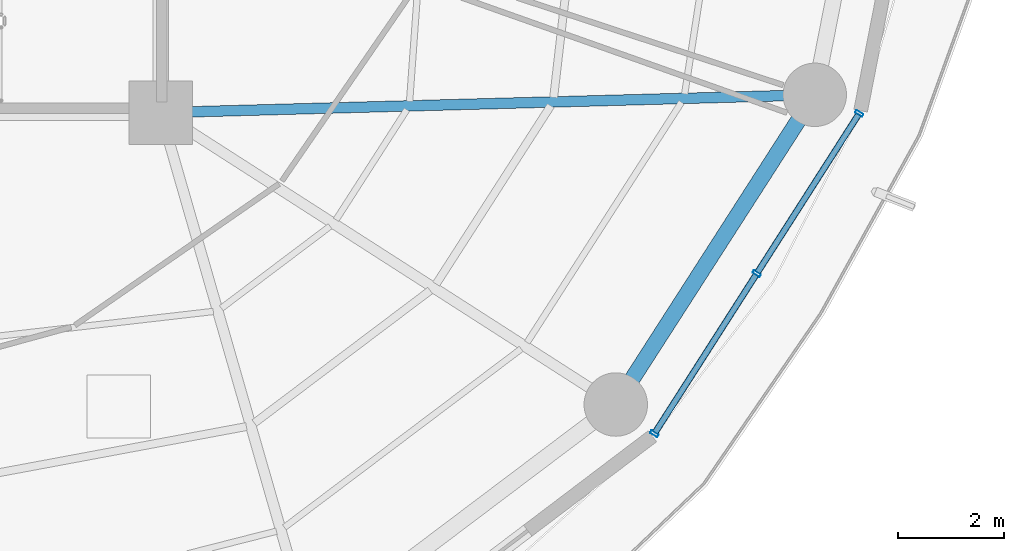
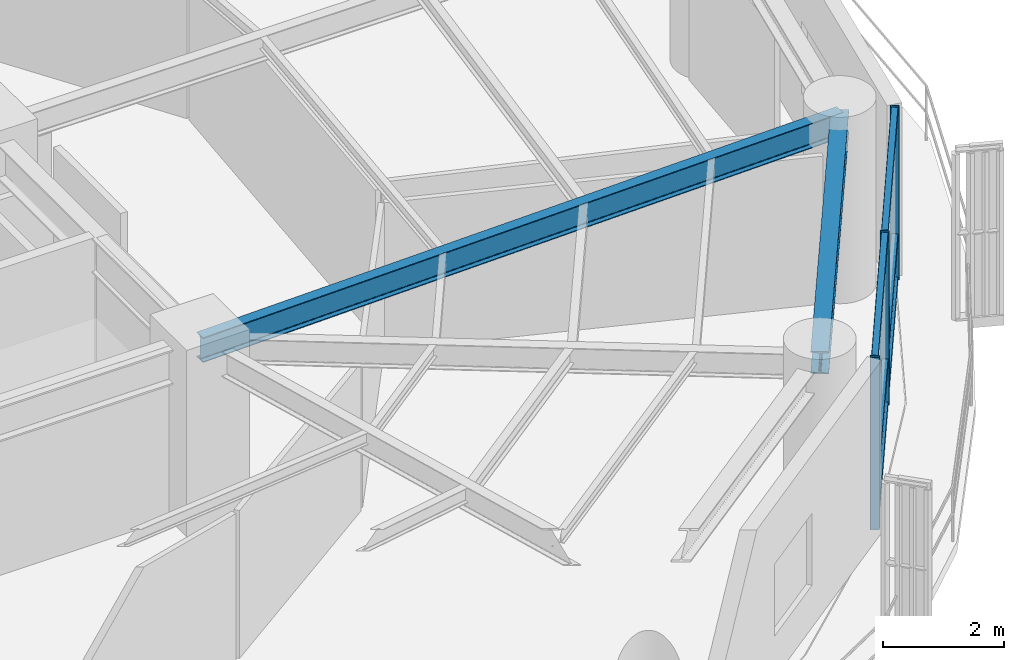
# One storey, part 11 of 28: 9 members, 2 beams, 1 element without a shape of its own.
"""IFC4 building model written with IfcOpenShell, lengths in metres."""

from ifc_helpers import new_model, si_unit, direction, frame, origin, origin_2d, place, context, subcontext, project, spatial, hollow_rectangle, i_section, extrude, material, layer, layer_set, material_profile, profile_set, type_object, element, aggregate, save


model = new_model("IFC4")

# Units and contexts
model_context = context("Model", 3, precision=1e-05, world=origin(), true_north=direction((0.0, 1.0)))
body_context = subcontext(model_context, "Body", "Model", "MODEL_VIEW")
ifc_project = project(units=[si_unit("LENGTHUNIT", "METRE"), si_unit("AREAUNIT", "SQUARE_METRE"), si_unit("VOLUMEUNIT", "CUBIC_METRE"), si_unit("PLANEANGLEUNIT", "RADIAN"), si_unit("MASSUNIT", "GRAM", prefix="KILO")], contexts=[model_context])

# Site, building, storey
site_placement = place(None, origin())
site = spatial("IfcSite", under=ifc_project, at=site_placement, CompositionType="ELEMENT")
building_placement = place(site_placement, origin())
building = spatial("IfcBuilding", under=site, at=building_placement, Name="Kelanora Arch Commons", CompositionType="ELEMENT")
storey_placement = place(building_placement, frame((0.0, 0.0, 180.60009765625)))
storey = spatial("IfcBuildingStorey", under=building, at=storey_placement, Name="L46", CompositionType="ELEMENT", Elevation=180.60009765625)

# Beams
ifc_material_1 = material(Name="Steel S355", Category="steel")
ifc_material_profile_1 = material_profile(ifc_material_1, i_section(OverallWidth=0.199951171875, OverallDepth=0.5, WebThickness=0.01025390625, FlangeThickness=0.01611328125, FilletRadius=0.02099609375, at=origin_2d()), Name="IPE500")
ifc_profile_set_1 = profile_set([ifc_material_profile_1], Name="Steel S355")
beam_type_1 = type_object("IfcBeamType", Name="BM-RAD-Z3", PredefinedType="BEAM", material=ifc_profile_set_1)
beam_1_placement = place(storey_placement, frame((82.0, 51.0, 3.239990234375), z_axis=(0.999628374924, 0.027260081577, 0.0), x_axis=(-0.027260081577, 0.999628374924, 0.0)))
element("IfcBeam", 1, at=beam_1_placement, inside=storey, type_object=beam_type_1, Name="Radial Floor Girder BR-34 L46", PredefinedType="BEAM", context=body_context, shape_type="SweptSolid", body=[
    extrude(i_section(OverallWidth=0.199951171875, OverallDepth=0.5, WebThickness=0.01025390625, FlangeThickness=0.01611328125, FilletRadius=0.02099609375, at=origin_2d()), origin(), (0.0, 0.0, 1.0), 12.377197265625),
])
ifc_material_profile_2 = material_profile(ifc_material_1, i_section(OverallWidth=0.300048828125, OverallDepth=0.449951171875, WebThickness=0.013916015625, FlangeThickness=0.02587890625, FilletRadius=0.027099609375, at=origin_2d()), Name="HEB450")
ifc_profile_set_2 = profile_set([ifc_material_profile_2], Name="Steel S355")
beam_type_2 = type_object("IfcBeamType", Name="BM-SPN-Z3", PredefinedType="SPANDREL", material=ifc_profile_set_2)
beam_2_placement = place(storey_placement, frame((90.60791015625, 45.478515625, 3.264892578125), z_axis=(0.540576852469, 0.841294637196, 0.0), x_axis=(-0.841294637196, 0.540576852469, 0.0)))
element("IfcBeam", 2, at=beam_2_placement, inside=storey, type_object=beam_type_2, Name="Perimeter Spandrel Beam BS-32 L46", PredefinedType="SPANDREL", context=body_context, shape_type="SweptSolid", body=[
    extrude(i_section(OverallWidth=0.300048828125, OverallDepth=0.449951171875, WebThickness=0.013916015625, FlangeThickness=0.02587890625, FilletRadius=0.027099609375, at=origin_2d()), origin(), (0.0, 0.0, 1.0), 6.964111328125),
])

# Curtain wall, members
ifc_material_2 = material(Name="Terracotta ceramic-fritted low-E glass and aluminium", Category="masonry")
ifc_layer = layer(ifc_material_2, 0.175048828125)
ifc_layer_set = layer_set([ifc_layer], Name="Terracotta ceramic-fritted low-E glass and aluminium")
curtain_wall_type = type_object("IfcCurtainWallType", Name="CW-SYS-02", PredefinedType="NOTDEFINED", material=ifc_layer_set)
curtain_wall_placement = place(storey_placement, origin())
curtain_wall = element("IfcCurtainWall", 3, at=curtain_wall_placement, inside=storey, type_object=curtain_wall_type, Name="Unitised Curtain Wall L46-B16", PredefinedType="NOTDEFINED")
ifc_material_3 = material(Name="Powder-coated aluminium terracotta", Category="masonry")
ifc_material_profile_3 = material_profile(ifc_material_3, hollow_rectangle(XDim=0.159912109375, YDim=0.06005859375, WallThickness=0.0048828125, InnerFilletRadius=0.0048828125, OuterFilletRadius=0.010009765625, at=origin_2d()), Name="CWM160x60")
ifc_profile_set_3 = profile_set([ifc_material_profile_3], Name="Powder-coated aluminium terracotta")
member_type_1 = type_object("IfcMemberType", Name="CWM-STD", PredefinedType="MULLION", material=ifc_profile_set_3)
member_1_placement = place(storey_placement, frame((91.3369140625, 44.925048828125, 0.0), z_axis=(0.0, 0.0, 1.0), x_axis=(-0.842422846546, 0.538816988983, 0.0)))
member_1 = element("IfcMember", 4, at=member_1_placement, type_object=member_type_1, Name="CW-02 mullion 1", PredefinedType="MULLION", context=body_context, shape_type="SweptSolid", body=[
    extrude(hollow_rectangle(XDim=0.159912109375, YDim=0.06005859375, WallThickness=0.0048828125, InnerFilletRadius=0.0048828125, OuterFilletRadius=0.010009765625, at=origin_2d()), origin(), (0.0, 0.0, 1.0), 3.474853515625),
])
member_2_placement = place(storey_placement, frame((93.27490234375, 47.954833984375, 0.0), z_axis=(0.0, 0.0, 1.0), x_axis=(-0.842422846546, 0.538816988983, 0.0)))
member_2 = element("IfcMember", 5, at=member_2_placement, type_object=member_type_1, Name="CW-02 mullion 2", PredefinedType="MULLION", context=body_context, shape_type="SweptSolid", body=[
    extrude(hollow_rectangle(XDim=0.159912109375, YDim=0.06005859375, WallThickness=0.0048828125, InnerFilletRadius=0.0048828125, OuterFilletRadius=0.010009765625, at=origin_2d()), origin(), (0.0, 0.0, 1.0), 3.474853515625),
])
member_3_placement = place(storey_placement, frame((95.212890625, 50.98486328125, 0.0), z_axis=(0.0, 0.0, 1.0), x_axis=(-0.842422846546, 0.538816988983, 0.0)))
member_3 = element("IfcMember", 6, at=member_3_placement, type_object=member_type_1, Name="CW-02 mullion 3", PredefinedType="MULLION", context=body_context, shape_type="SweptSolid", body=[
    extrude(hollow_rectangle(XDim=0.159912109375, YDim=0.06005859375, WallThickness=0.0048828125, InnerFilletRadius=0.0048828125, OuterFilletRadius=0.010009765625, at=origin_2d()), origin(), (0.0, 0.0, 1.0), 3.474853515625),
])
ifc_material_profile_4 = material_profile(ifc_material_3, hollow_rectangle(XDim=0.1201171875, YDim=0.06005859375, WallThickness=0.0048828125, InnerFilletRadius=0.0048828125, OuterFilletRadius=0.010009765625, at=origin_2d()), Name="CWT120x60")
ifc_profile_set_4 = profile_set([ifc_material_profile_4], Name="Powder-coated aluminium terracotta")
member_type_2 = type_object("IfcMemberType", Name="CWT-STD", PredefinedType="USERDEFINED", material=ifc_profile_set_4)
member_4_placement = place(storey_placement, frame((91.35302734375, 44.9501953125, 0.02978515625), z_axis=(0.53883037555, 0.842414284295, 0.0), x_axis=(-0.842414284295, 0.53883037555, 0.0)))
member_4 = element("IfcMember", 7, at=member_4_placement, type_object=member_type_2, Name="CW-02 transom 1.1", ObjectType="TRANSOM", PredefinedType="USERDEFINED", context=body_context, shape_type="SweptSolid", body=[
    extrude(hollow_rectangle(XDim=0.1201171875, YDim=0.06005859375, WallThickness=0.0048828125, InnerFilletRadius=0.0048828125, OuterFilletRadius=0.010009765625, at=origin_2d()), origin(), (0.0, 0.0, 1.0), 3.536865234375),
])
member_5_placement = place(storey_placement, frame((91.35302734375, 44.9501953125, 0.89990234375), z_axis=(0.53883037555, 0.842414284295, 0.0), x_axis=(-0.842414284295, 0.53883037555, 0.0)))
member_5 = element("IfcMember", 8, at=member_5_placement, type_object=member_type_2, Name="CW-02 transom 1.2", ObjectType="TRANSOM", PredefinedType="USERDEFINED", context=body_context, shape_type="SweptSolid", body=[
    extrude(hollow_rectangle(XDim=0.1201171875, YDim=0.06005859375, WallThickness=0.0048828125, InnerFilletRadius=0.0048828125, OuterFilletRadius=0.010009765625, at=origin_2d()), origin(), (0.0, 0.0, 1.0), 3.536865234375),
])
member_6_placement = place(storey_placement, frame((91.35302734375, 44.9501953125, 3.44482421875), z_axis=(0.53883037555, 0.842414284295, 0.0), x_axis=(-0.842414284295, 0.53883037555, 0.0)))
member_6 = element("IfcMember", 9, at=member_6_placement, type_object=member_type_2, Name="CW-02 transom 1.3", ObjectType="TRANSOM", PredefinedType="USERDEFINED", context=body_context, shape_type="SweptSolid", body=[
    extrude(hollow_rectangle(XDim=0.1201171875, YDim=0.06005859375, WallThickness=0.0048828125, InnerFilletRadius=0.0048828125, OuterFilletRadius=0.010009765625, at=origin_2d()), origin(), (0.0, 0.0, 1.0), 3.536865234375),
])
member_7_placement = place(storey_placement, frame((93.291015625, 47.980224609375, 0.02978515625), z_axis=(0.53883037555, 0.842414284295, 0.0), x_axis=(-0.842414284295, 0.53883037555, 0.0)))
member_7 = element("IfcMember", 10, at=member_7_placement, type_object=member_type_2, Name="CW-02 transom 2.1", ObjectType="TRANSOM", PredefinedType="USERDEFINED", context=body_context, shape_type="SweptSolid", body=[
    extrude(hollow_rectangle(XDim=0.1201171875, YDim=0.06005859375, WallThickness=0.0048828125, InnerFilletRadius=0.0048828125, OuterFilletRadius=0.010009765625, at=origin_2d()), origin(), (0.0, 0.0, 1.0), 3.536865234375),
])
member_8_placement = place(storey_placement, frame((93.291015625, 47.980224609375, 0.89990234375), z_axis=(0.53883037555, 0.842414284295, 0.0), x_axis=(-0.842414284295, 0.53883037555, 0.0)))
member_8 = element("IfcMember", 11, at=member_8_placement, type_object=member_type_2, Name="CW-02 transom 2.2", ObjectType="TRANSOM", PredefinedType="USERDEFINED", context=body_context, shape_type="SweptSolid", body=[
    extrude(hollow_rectangle(XDim=0.1201171875, YDim=0.06005859375, WallThickness=0.0048828125, InnerFilletRadius=0.0048828125, OuterFilletRadius=0.010009765625, at=origin_2d()), origin(), (0.0, 0.0, 1.0), 3.536865234375),
])
member_9_placement = place(storey_placement, frame((93.291015625, 47.980224609375, 3.44482421875), z_axis=(0.53883037555, 0.842414284295, 0.0), x_axis=(-0.842414284295, 0.53883037555, 0.0)))
member_9 = element("IfcMember", 12, at=member_9_placement, type_object=member_type_2, Name="CW-02 transom 2.3", ObjectType="TRANSOM", PredefinedType="USERDEFINED", context=body_context, shape_type="SweptSolid", body=[
    extrude(hollow_rectangle(XDim=0.1201171875, YDim=0.06005859375, WallThickness=0.0048828125, InnerFilletRadius=0.0048828125, OuterFilletRadius=0.010009765625, at=origin_2d()), origin(), (0.0, 0.0, 1.0), 3.536865234375),
])
aggregate(curtain_wall, [member_1, member_2, member_3, member_4, member_5, member_6, member_7, member_8, member_9])

save(model, "model.ifc")
